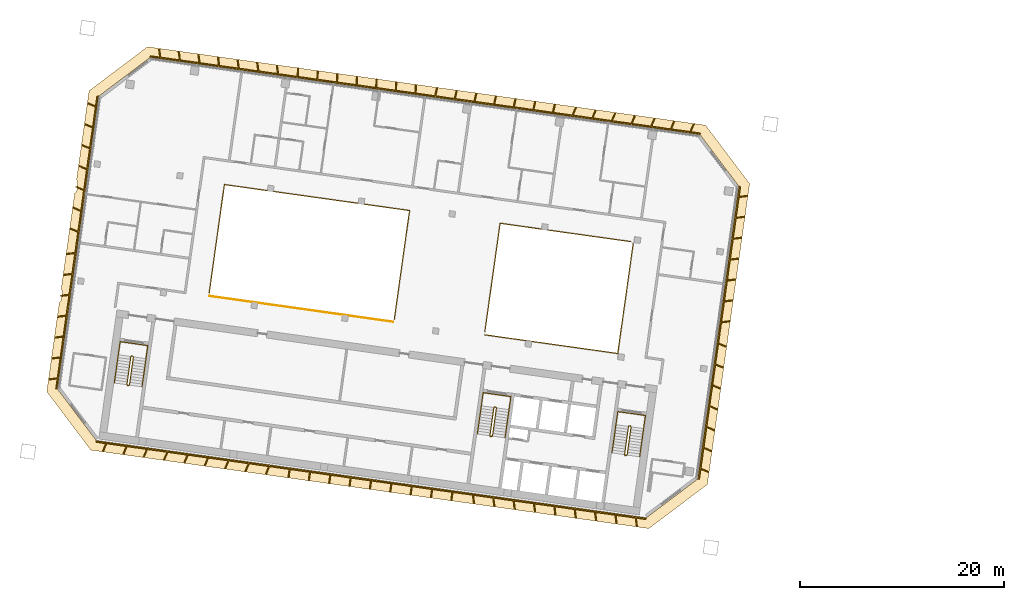
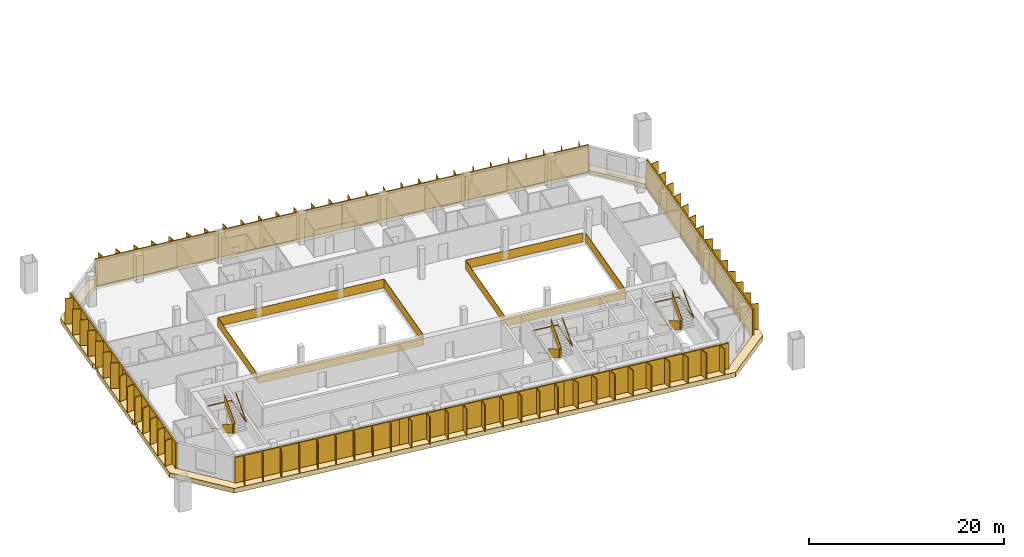
# One storey, part 24 of 25: 11 shading devices, 10 railings, 1 covering.
"""IFC4 building model written with IfcOpenShell, lengths in metres."""

from ifc_helpers import new_model, si_unit, direction, frame, origin, origin_2d, place, context, subcontext, project, spatial, polyline, rectangle, outline, extrude, material, layer, layer_set, type_object, element, save


model = new_model("IFC4")

# Units and contexts
model_context = context("Model", 3, precision=1e-05, world=origin(), true_north=direction((0.0, 1.0)))
body_context = subcontext(model_context, "Body", "Model", "MODEL_VIEW")
ifc_project = project(units=[si_unit("LENGTHUNIT", "METRE"), si_unit("AREAUNIT", "SQUARE_METRE"), si_unit("VOLUMEUNIT", "CUBIC_METRE"), si_unit("PLANEANGLEUNIT", "RADIAN"), si_unit("MASSUNIT", "GRAM", prefix="KILO")], contexts=[model_context])

# Site, building, storey
site_placement = place(None, origin())
site = spatial("IfcSite", under=ifc_project, at=site_placement, CompositionType="ELEMENT")
building_placement = place(site_placement, origin())
building = spatial("IfcBuilding", under=site, at=building_placement, Name="Mirante Cascada Hotel Towers", CompositionType="ELEMENT")
storey_placement = place(building_placement, frame((0.0, 0.0, 172.6)))
storey = spatial("IfcBuildingStorey", under=building, at=storey_placement, Name="L40", CompositionType="ELEMENT", Elevation=172.6)

# Railings
ifc_material_1 = material(Name="Toughened glass with stainless steel handrail", Category="steel")
railing_type_1 = type_object("IfcRailingType", Name="Atrium guard 1100 glass balustrade", PredefinedType="GUARDRAIL", material=ifc_material_1)
railing_1_placement = place(storey_placement, frame((-37.864, 6.7125, 0.0)))
element("IfcRailing", 1, at=railing_1_placement, inside=storey, type_object=railing_type_1, Name="GUARD 1-L40-1", PredefinedType="GUARDRAIL", context=body_context, shape_type="SweptSolid", body=[
    extrude(rectangle(XDim=0.048, YDim=0.048, at=origin_2d()), frame((0.0, 0.0, 1.076), z_axis=(-0.1391712, -0.9902683, 0.0), x_axis=(0.9902683, -0.1391712, 0.0)), (0.0, 0.0, 1.0), 10.9333),
    extrude(rectangle(XDim=0.02, YDim=1.052, at=origin_2d()), frame((0.0, 0.0, 0.526), z_axis=(-0.1391712, -0.9902683, 0.0), x_axis=(0.9902683, -0.1391712, 0.0)), (0.0, 0.0, 1.0), 10.9333),
    extrude(rectangle(XDim=0.048, YDim=0.048, at=origin_2d()), frame((-1.5216, -10.8269, 1.076), z_axis=(-0.9902673, 0.1391788, 0.0), x_axis=(-0.1391788, -0.9902673, 0.0)), (0.0, 0.0, 1.0), 13.1622),
    extrude(rectangle(XDim=0.02, YDim=1.052, at=origin_2d()), frame((-1.5216, -10.8269, 0.526), z_axis=(-0.9902673, 0.1391788, 0.0), x_axis=(-0.1391788, -0.9902673, 0.0)), (0.0, 0.0, 1.0), 13.1622),
])
railing_2_placement = place(storey_placement, frame((-61.4157, -1.0182, 0.0)))
element("IfcRailing", 2, at=railing_2_placement, inside=storey, type_object=railing_type_1, Name="GUARD 1-L40-2", PredefinedType="GUARDRAIL", context=body_context, shape_type="SweptSolid", body=[
    extrude(rectangle(XDim=0.048, YDim=0.048, at=origin_2d()), frame((0.0, 0.0, 1.076), z_axis=(-0.990268, 0.1391737, 0.0), x_axis=(-0.1391737, -0.990268, 0.0)), (0.0, 0.0, 1.0), 18.2534),
    extrude(rectangle(XDim=0.02, YDim=1.052, at=origin_2d()), frame((0.0, 0.0, 0.526), z_axis=(-0.990268, 0.1391737, 0.0), x_axis=(-0.1391737, -0.990268, 0.0)), (0.0, 0.0, 1.0), 18.2534),
    extrude(rectangle(XDim=0.048, YDim=0.048, at=origin_2d()), frame((-18.0758, 2.5404, 1.076), z_axis=(0.9902081, -0.1395992, 0.0), x_axis=(0.1395992, 0.9902081, 0.0)), (0.0, 0.0, 1.0), 0.0845),
    extrude(rectangle(XDim=0.02, YDim=1.052, at=origin_2d()), frame((-18.0758, 2.5404, 0.526), z_axis=(0.9902081, -0.1395992, 0.0), x_axis=(0.1395992, 0.9902081, 0.0)), (0.0, 0.0, 1.0), 0.0845),
])
railing_3_placement = place(storey_placement, frame((-61.326, -0.7323, 0.0)))
element("IfcRailing", 3, at=railing_3_placement, inside=storey, type_object=railing_type_1, Name="GUARD 1-L40-3", PredefinedType="GUARDRAIL", context=body_context, shape_type="SweptSolid", body=[
    extrude(rectangle(XDim=0.048, YDim=0.048, at=origin_2d()), frame((0.0, 0.0, 1.076), z_axis=(0.1391702, 0.9902685, 0.0), x_axis=(-0.9902685, 0.1391702, 0.0)), (0.0, 0.0, 1.0), 10.7545),
    extrude(rectangle(XDim=0.02, YDim=1.052, at=origin_2d()), frame((0.0, 0.0, 0.526), z_axis=(0.1391702, 0.9902685, 0.0), x_axis=(-0.9902685, 0.1391702, 0.0)), (0.0, 0.0, 1.0), 10.7545),
    extrude(rectangle(XDim=0.048, YDim=0.048, at=origin_2d()), frame((1.4967, 10.6498, 1.076), z_axis=(-0.9902686, 0.1391691, 0.0), x_axis=(-0.1391691, -0.9902686, 0.0)), (0.0, 0.0, 1.0), 18.3525),
    extrude(rectangle(XDim=0.02, YDim=1.052, at=origin_2d()), frame((1.4967, 10.6498, 0.526), z_axis=(-0.9902686, 0.1391691, 0.0), x_axis=(-0.1391691, -0.9902686, 0.0)), (0.0, 0.0, 1.0), 18.3525),
    extrude(rectangle(XDim=0.048, YDim=0.048, at=origin_2d()), frame((-16.6772, 13.2039, 1.076), z_axis=(-0.1391689, -0.9902687, 0.0), x_axis=(0.9902687, -0.1391689, 0.0)), (0.0, 0.0, 1.0), 10.7546),
    extrude(rectangle(XDim=0.02, YDim=1.052, at=origin_2d()), frame((-16.6772, 13.2039, 0.526), z_axis=(-0.1391689, -0.9902687, 0.0), x_axis=(0.9902687, -0.1391689, 0.0)), (0.0, 0.0, 1.0), 10.7546),
])
railing_4_placement = place(storey_placement, frame((-38.1213, 6.8666, 0.0)))
element("IfcRailing", 4, at=railing_4_placement, inside=storey, type_object=railing_type_1, Name="GUARD 1-L40-4", PredefinedType="GUARDRAIL", context=body_context, shape_type="SweptSolid", body=[
    extrude(rectangle(XDim=0.048, YDim=0.048, at=origin_2d()), frame((0.0, 0.0, 1.076), z_axis=(-0.9902681, 0.139173, 0.0), x_axis=(-0.139173, -0.9902681, 0.0)), (0.0, 0.0, 1.0), 12.935),
    extrude(rectangle(XDim=0.02, YDim=1.052, at=origin_2d()), frame((0.0, 0.0, 0.526), z_axis=(-0.9902681, 0.139173, 0.0), x_axis=(-0.139173, -0.9902681, 0.0)), (0.0, 0.0, 1.0), 12.935),
    extrude(rectangle(XDim=0.048, YDim=0.048, at=origin_2d()), frame((-12.8091, 1.8002, 1.076), z_axis=(-0.1391715, -0.9902683, 0.0), x_axis=(0.9902683, -0.1391715, 0.0)), (0.0, 0.0, 1.0), 10.7544),
    extrude(rectangle(XDim=0.02, YDim=1.052, at=origin_2d()), frame((-12.8091, 1.8002, 0.526), z_axis=(-0.1391715, -0.9902683, 0.0), x_axis=(0.9902683, -0.1391715, 0.0)), (0.0, 0.0, 1.0), 10.7544),
])

# Covering
ifc_material_2 = material(Name="Precast concrete C40/50 white", Category="concrete")
ifc_layer = layer(ifc_material_2, 0.6)
ifc_layer_set = layer_set([ifc_layer], Name="Precast concrete SUNSHADE band 1000x600")
covering_type = type_object("IfcCoveringType", Name="Precast concrete SUNSHADE band 1000x600", PredefinedType="CLADDING", material=ifc_layer_set)
covering_placement = place(storey_placement, frame((0.0, 0.0, -0.45)))
element("IfcCovering", 5, at=covering_placement, inside=storey, type_object=covering_type, Name="Precast concrete SUNSHADE band T1 L40", PredefinedType="CLADDING", context=body_context, shape_type="SweptSolid", body=[
    extrude(outline(polyline([(-95.4528, -7.862), (-94.2239, 0.8821), (-94.2226, 0.8829), (-94.1895, 0.9079), (-94.159, 0.936), (-94.1314, 0.9669), (-94.1069, 1.0004), (-94.0859, 1.0362), (-94.0685, 1.0738), (-94.0548, 1.1129), (-94.0451, 1.1532), (-93.9197, 1.8112), (-93.9139, 1.8523), (-93.9122, 1.8937), (-93.9146, 1.9351), (-93.921, 1.9761), (-93.9314, 2.0162), (-93.9457, 2.0551), (-93.9637, 2.0925), (-93.9853, 2.1279), (-94.0102, 2.161), (-94.0383, 2.1915), (-94.0397, 2.1927), (-92.7146, 11.6214), (-92.7129, 11.6222), (-92.6775, 11.6438), (-92.6444, 11.6688), (-92.6139, 11.6968), (-92.5863, 11.7278), (-92.5618, 11.7612), (-92.5407, 11.7969), (-92.5233, 11.8346), (-92.5096, 11.8737), (-92.4998, 11.914), (-92.494, 11.955), (-92.4332, 12.6221), (-92.4315, 12.6636), (-92.4338, 12.705), (-92.4402, 12.7459), (-92.4506, 12.7861), (-92.4648, 12.825), (-92.4828, 12.8624), (-92.5044, 12.8978), (-92.5293, 12.9309), (-92.5304, 12.932), (-91.3015, 21.6761), (-85.5574, 26.0046), (-30.7607, 18.3035), (-26.4322, 12.5594), (-30.5836, -16.9788), (-36.3277, -21.3073), (-91.1243, -13.6061), (-95.4528, -7.862)]), holes=[polyline([(-27.4802, 12.2884), (-31.3101, 17.3708), (-85.2864, 24.9567), (-90.3689, 21.1268), (-94.4049, -7.591), (-90.575, -12.6735), (-36.5987, -20.2593), (-31.5162, -16.4294), (-27.4802, 12.2884)])]), origin(), (0.0, 0.0, 1.0), 0.6),
])

# Railings
ifc_material_3 = material(Name="Painted steel", Category="steel")
railing_type_2 = type_object("IfcRailingType", Name="Stair guard 1100 steel balustrade", PredefinedType="GUARDRAIL", material=ifc_material_3)
railing_5_placement = place(storey_placement, frame((-38.1178, -11.2603, 0.0)))
element("IfcRailing", 6, at=railing_5_placement, inside=storey, type_object=railing_type_2, Name="L40 ST1-A stair guard 1", PredefinedType="GUARDRAIL", context=body_context, shape_type="SweptSolid", body=[
    extrude(rectangle(XDim=0.048, YDim=0.048, at=origin_2d()), frame((0.0, 0.0, 1.076), z_axis=(-0.9903326, 0.1387133, 0.0), x_axis=(-0.1387133, -0.9903326, 0.0)), (0.0, 0.0, 1.0), 0.1499),
    extrude(rectangle(XDim=0.02, YDim=1.052, at=origin_2d()), frame((0.0, 0.0, 0.526), z_axis=(-0.9903326, 0.1387133, 0.0), x_axis=(-0.1387133, -0.9903326, 0.0)), (0.0, 0.0, 1.0), 0.1499),
    extrude(rectangle(XDim=0.048, YDim=0.048, at=origin_2d()), frame((-0.1485, 0.0208, 1.076), z_axis=(-0.7991505, -0.6011309, 0.0), x_axis=(0.6011309, -0.7991505, 0.0)), (0.0, 0.9254529, 0.3788627), 0.1866),
    extrude(rectangle(XDim=0.02, YDim=1.052, at=origin_2d()), frame((-0.1485, 0.0208, 0.526), z_axis=(-0.7991505, -0.6011309, 0.0), x_axis=(0.6011309, -0.7991505, 0.0)), (0.0, 0.9254529, 0.3788627), 0.1866),
    extrude(rectangle(XDim=0.048, YDim=0.048, at=origin_2d()), frame((-0.205, -0.0217, 1.2487), z_axis=(-0.139176, -0.9902677, 0.0), x_axis=(0.9902677, -0.139176, 0.0)), (0.0, 0.5250212, 0.8510891), 3.29),
    extrude(rectangle(XDim=0.02, YDim=1.052, at=origin_2d()), frame((-0.205, -0.0217, 0.6987), z_axis=(-0.139176, -0.9902677, 0.0), x_axis=(0.9902677, -0.139176, 0.0)), (0.0, 0.5250212, 0.8510891), 3.29),
    extrude(rectangle(XDim=0.048, YDim=0.048, at=origin_2d()), frame((-0.5947, -2.7945, 2.976), z_axis=(0.9270311, -0.3749843, 0.0), x_axis=(0.3749843, 0.9270311, 0.0)), (0.0, 0.0, 1.0), 0.2061),
    extrude(rectangle(XDim=0.02, YDim=1.052, at=origin_2d()), frame((-0.5947, -2.7945, 2.426), z_axis=(0.9270311, -0.3749843, 0.0), x_axis=(0.3749843, 0.9270311, 0.0)), (0.0, 0.0, 1.0), 0.2061),
    extrude(rectangle(XDim=0.048, YDim=0.048, at=origin_2d()), frame((-0.4036, -2.8718, 2.976), z_axis=(-0.9902408, 0.1393672, 0.0), x_axis=(-0.1393672, -0.9902408, 0.0)), (0.0, 0.0, 1.0), 0.15),
    extrude(rectangle(XDim=0.02, YDim=1.052, at=origin_2d()), frame((-0.4036, -2.8718, 2.426), z_axis=(-0.9902408, 0.1393672, 0.0), x_axis=(-0.1393672, -0.9902408, 0.0)), (0.0, 0.0, 1.0), 0.15),
    extrude(rectangle(XDim=0.048, YDim=0.048, at=origin_2d()), frame((-0.5521, -2.8509, 2.976), z_axis=(0.9944948, 0.1047858, 0.0), x_axis=(-0.1047858, 0.9944948, 0.0)), (0.0, 0.6422034, 0.7665343), 0.2689),
    extrude(rectangle(XDim=0.02, YDim=1.052, at=origin_2d()), frame((-0.5521, -2.8509, 2.426), z_axis=(0.9944948, 0.1047858, 0.0), x_axis=(-0.1047858, 0.9944948, 0.0)), (0.0, 0.6422034, 0.7665343), 0.2689),
    extrude(rectangle(XDim=0.048, YDim=0.048, at=origin_2d()), frame((-0.3471, -2.8293, 3.1487), z_axis=(0.139176, 0.9902677, 0.0), x_axis=(-0.9902677, 0.139176, 0.0)), (0.0, 0.5250212, 0.8510891), 3.29),
    extrude(rectangle(XDim=0.02, YDim=1.052, at=origin_2d()), frame((-0.3471, -2.8293, 2.5987), z_axis=(0.139176, 0.9902677, 0.0), x_axis=(-0.9902677, 0.139176, 0.0)), (0.0, 0.5250212, 0.8510891), 3.29),
])
railing_6_placement = place(storey_placement, frame((-51.3379, -9.4024, 0.0)))
element("IfcRailing", 7, at=railing_6_placement, inside=storey, type_object=railing_type_2, Name="L40 ST1-B stair guard 1", PredefinedType="GUARDRAIL", context=body_context, shape_type="SweptSolid", body=[
    extrude(rectangle(XDim=0.048, YDim=0.048, at=origin_2d()), frame((0.0, 0.0, 1.076), z_axis=(-0.9902408, 0.1393672, 0.0), x_axis=(-0.1393672, -0.9902408, 0.0)), (0.0, 0.0, 1.0), 0.15),
    extrude(rectangle(XDim=0.02, YDim=1.052, at=origin_2d()), frame((0.0, 0.0, 0.526), z_axis=(-0.9902408, 0.1393672, 0.0), x_axis=(-0.1393672, -0.9902408, 0.0)), (0.0, 0.0, 1.0), 0.15),
    extrude(rectangle(XDim=0.048, YDim=0.048, at=origin_2d()), frame((-0.1485, 0.0209, 1.076), z_axis=(-0.7984711, -0.6020331, 0.0), x_axis=(0.6020331, -0.7984711, 0.0)), (0.0, 0.9253398, 0.3791387), 0.1866),
    extrude(rectangle(XDim=0.02, YDim=1.052, at=origin_2d()), frame((-0.1485, 0.0209, 0.526), z_axis=(-0.7984711, -0.6020331, 0.0), x_axis=(0.6020331, -0.7984711, 0.0)), (0.0, 0.9253398, 0.3791387), 0.1866),
    extrude(rectangle(XDim=0.048, YDim=0.048, at=origin_2d()), frame((-0.205, -0.0217, 1.2487), z_axis=(-0.139181, -0.990267, 0.0), x_axis=(0.990267, -0.139181, 0.0)), (0.0, 0.5250347, 0.8510808), 3.2899),
    extrude(rectangle(XDim=0.02, YDim=1.052, at=origin_2d()), frame((-0.205, -0.0217, 0.6987), z_axis=(-0.139181, -0.990267, 0.0), x_axis=(0.990267, -0.139181, 0.0)), (0.0, 0.5250347, 0.8510808), 3.2899),
    extrude(rectangle(XDim=0.048, YDim=0.048, at=origin_2d()), frame((-0.5947, -2.7944, 2.976), z_axis=(0.9268624, -0.3754011, 0.0), x_axis=(0.3754011, 0.9268624, 0.0)), (0.0, 0.0, 1.0), 0.2062),
    extrude(rectangle(XDim=0.02, YDim=1.052, at=origin_2d()), frame((-0.5947, -2.7944, 2.426), z_axis=(0.9268624, -0.3754011, 0.0), x_axis=(0.3754011, 0.9268624, 0.0)), (0.0, 0.0, 1.0), 0.2062),
    extrude(rectangle(XDim=0.048, YDim=0.048, at=origin_2d()), frame((-0.4036, -2.8718, 2.976), z_axis=(-0.9902408, 0.1393672, 0.0), x_axis=(-0.1393672, -0.9902408, 0.0)), (0.0, 0.0, 1.0), 0.15),
    extrude(rectangle(XDim=0.02, YDim=1.052, at=origin_2d()), frame((-0.4036, -2.8718, 2.426), z_axis=(-0.9902408, 0.1393672, 0.0), x_axis=(-0.1393672, -0.9902408, 0.0)), (0.0, 0.0, 1.0), 0.15),
    extrude(rectangle(XDim=0.048, YDim=0.048, at=origin_2d()), frame((-0.5521, -2.8509, 2.976), z_axis=(0.9944441, 0.1052656, 0.0), x_axis=(-0.1052656, 0.9944441, 0.0)), (0.0, 0.6421842, 0.7665504), 0.2689),
    extrude(rectangle(XDim=0.02, YDim=1.052, at=origin_2d()), frame((-0.5521, -2.8509, 2.426), z_axis=(0.9944441, 0.1052656, 0.0), x_axis=(-0.1052656, 0.9944441, 0.0)), (0.0, 0.6421842, 0.7665504), 0.2689),
    extrude(rectangle(XDim=0.048, YDim=0.048, at=origin_2d()), frame((-0.3471, -2.8292, 3.1487), z_axis=(0.139181, 0.990267, 0.0), x_axis=(-0.990267, 0.139181, 0.0)), (0.0, 0.5250347, 0.8510808), 3.2899),
    extrude(rectangle(XDim=0.02, YDim=1.052, at=origin_2d()), frame((-0.3471, -2.8292, 2.5987), z_axis=(0.139181, 0.990267, 0.0), x_axis=(-0.990267, 0.139181, 0.0)), (0.0, 0.5250347, 0.8510808), 3.2899),
])
railing_7_placement = place(storey_placement, frame((-86.9875, -4.3922, 0.0)))
element("IfcRailing", 8, at=railing_7_placement, inside=storey, type_object=railing_type_2, Name="L40 ST1-C stair guard 1", PredefinedType="GUARDRAIL", context=body_context, shape_type="SweptSolid", body=[
    extrude(rectangle(XDim=0.048, YDim=0.048, at=origin_2d()), frame((0.0, 0.0, 1.076), z_axis=(-0.9902537, 0.1392753, 0.0), x_axis=(-0.1392753, -0.9902537, 0.0)), (0.0, 0.0, 1.0), 0.1501),
    extrude(rectangle(XDim=0.02, YDim=1.052, at=origin_2d()), frame((0.0, 0.0, 0.526), z_axis=(-0.9902537, 0.1392753, 0.0), x_axis=(-0.1392753, -0.9902537, 0.0)), (0.0, 0.0, 1.0), 0.1501),
    extrude(rectangle(XDim=0.048, YDim=0.048, at=origin_2d()), frame((-0.1486, 0.0209, 1.076), z_axis=(-0.7986386, -0.601811, 0.0), x_axis=(0.601811, -0.7986386, 0.0)), (0.0, 0.925603, 0.3784959), 0.1866),
    extrude(rectangle(XDim=0.02, YDim=1.052, at=origin_2d()), frame((-0.1486, 0.0209, 0.526), z_axis=(-0.7986386, -0.601811, 0.0), x_axis=(0.601811, -0.7986386, 0.0)), (0.0, 0.925603, 0.3784959), 0.1866),
    extrude(rectangle(XDim=0.048, YDim=0.048, at=origin_2d()), frame((-0.205, -0.0216, 1.2487), z_axis=(-0.139176, -0.9902677, 0.0), x_axis=(0.9902677, -0.139176, 0.0)), (0.0, 0.5250212, 0.8510891), 3.29),
    extrude(rectangle(XDim=0.02, YDim=1.052, at=origin_2d()), frame((-0.205, -0.0216, 0.6987), z_axis=(-0.139176, -0.9902677, 0.0), x_axis=(0.9902677, -0.139176, 0.0)), (0.0, 0.5250212, 0.8510891), 3.29),
    extrude(rectangle(XDim=0.048, YDim=0.048, at=origin_2d()), frame((-0.5947, -2.7944, 2.976), z_axis=(0.9270311, -0.3749843, 0.0), x_axis=(0.3749843, 0.9270311, 0.0)), (0.0, 0.0, 1.0), 0.2061),
    extrude(rectangle(XDim=0.02, YDim=1.052, at=origin_2d()), frame((-0.5947, -2.7944, 2.426), z_axis=(0.9270311, -0.3749843, 0.0), x_axis=(0.3749843, 0.9270311, 0.0)), (0.0, 0.0, 1.0), 0.2061),
    extrude(rectangle(XDim=0.048, YDim=0.048, at=origin_2d()), frame((-0.4036, -2.8717, 2.976), z_axis=(-0.9903454, 0.1386217, 0.0), x_axis=(-0.1386217, -0.9903454, 0.0)), (0.0, 0.0, 1.0), 0.15),
    extrude(rectangle(XDim=0.02, YDim=1.052, at=origin_2d()), frame((-0.4036, -2.8717, 2.426), z_axis=(-0.9903454, 0.1386217, 0.0), x_axis=(-0.1386217, -0.9903454, 0.0)), (0.0, 0.0, 1.0), 0.15),
    extrude(rectangle(XDim=0.048, YDim=0.048, at=origin_2d()), frame((-0.5522, -2.8509, 2.976), z_axis=(0.9944441, 0.1052656, 0.0), x_axis=(-0.1052656, 0.9944441, 0.0)), (0.0, 0.6421842, 0.7665504), 0.2689),
    extrude(rectangle(XDim=0.02, YDim=1.052, at=origin_2d()), frame((-0.5522, -2.8509, 2.426), z_axis=(0.9944441, 0.1052656, 0.0), x_axis=(-0.1052656, 0.9944441, 0.0)), (0.0, 0.6421842, 0.7665504), 0.2689),
    extrude(rectangle(XDim=0.048, YDim=0.048, at=origin_2d()), frame((-0.3472, -2.8292, 3.1487), z_axis=(0.139176, 0.9902677, 0.0), x_axis=(-0.9902677, 0.139176, 0.0)), (0.0, 0.5250212, 0.8510891), 3.29),
    extrude(rectangle(XDim=0.02, YDim=1.052, at=origin_2d()), frame((-0.3472, -2.8292, 2.5987), z_axis=(0.139176, 0.9902677, 0.0), x_axis=(-0.9902677, 0.139176, 0.0)), (0.0, 0.5250212, 0.8510891), 3.29),
])
ifc_material_4 = material(Name="Painted steel", Category="steel")
railing_type_3 = type_object("IfcRailingType", Name="Stair handrail 900 steel tube", PredefinedType="HANDRAIL", material=ifc_material_4)
railing_8_placement = place(storey_placement, frame((-39.5606, -11.1081, 0.1727)))
element("IfcRailing", 9, at=railing_8_placement, inside=storey, type_object=railing_type_3, Name="L40 ST1-A stair handrail 1", PredefinedType="HANDRAIL", context=body_context, shape_type="SweptSolid", body=[
    extrude(rectangle(XDim=0.048, YDim=0.048, at=origin_2d()), frame((0.0, 0.0, 0.876), z_axis=(-0.139181, -0.990267, 0.0), x_axis=(0.990267, -0.139181, 0.0)), (0.0, 0.5250347, 0.8510808), 3.2899),
    extrude(rectangle(XDim=0.048, YDim=0.048, at=origin_2d()), frame((-0.3897, -2.7727, 2.6033), z_axis=(0.1391707, 0.9902684, 0.0), x_axis=(-0.9902684, 0.1391707, 0.0)), (0.0, 0.0420846, 0.999114), 4.1036),
    extrude(rectangle(XDim=0.048, YDim=0.048, at=origin_2d()), frame((0.1809, 1.2874, 2.776), z_axis=(0.9902691, -0.1391657, 0.0), x_axis=(0.1391657, 0.9902691, 0.0)), (0.0, 0.0, 1.0), 2.75),
    extrude(rectangle(XDim=0.048, YDim=0.048, at=origin_2d()), frame((2.9041, 0.9047, 2.776), z_axis=(-0.1391707, -0.9902684, 0.0), x_axis=(0.9902684, -0.1391707, 0.0)), (0.0, 0.0, 1.0), 4.1),
    extrude(rectangle(XDim=0.048, YDim=0.048, at=origin_2d()), frame((2.3335, -3.1554, 2.776), z_axis=(0.139181, 0.990267, 0.0), x_axis=(-0.990267, 0.139181, 0.0)), (0.0, 0.5250347, 0.8510808), 3.2899),
])
railing_9_placement = place(storey_placement, frame((-52.7807, -9.2501, 0.1727)))
element("IfcRailing", 10, at=railing_9_placement, inside=storey, type_object=railing_type_3, Name="L40 ST1-B stair handrail 1", PredefinedType="HANDRAIL", context=body_context, shape_type="SweptSolid", body=[
    extrude(rectangle(XDim=0.048, YDim=0.048, at=origin_2d()), frame((0.0, 0.0, 0.876), z_axis=(-0.139181, -0.990267, 0.0), x_axis=(0.990267, -0.139181, 0.0)), (0.0, 0.5250347, 0.8510808), 3.2899),
    extrude(rectangle(XDim=0.048, YDim=0.048, at=origin_2d()), frame((-0.3897, -2.7727, 2.6033), z_axis=(0.1391707, 0.9902684, 0.0), x_axis=(-0.9902684, 0.1391707, 0.0)), (0.0, 0.0420846, 0.999114), 4.1036),
    extrude(rectangle(XDim=0.048, YDim=0.048, at=origin_2d()), frame((0.1809, 1.2874, 2.776), z_axis=(0.9902641, -0.1392013, 0.0), x_axis=(0.1392013, 0.9902641, 0.0)), (0.0, 0.0, 1.0), 2.75),
    extrude(rectangle(XDim=0.048, YDim=0.048, at=origin_2d()), frame((2.9041, 0.9046, 2.776), z_axis=(-0.1391707, -0.9902684, 0.0), x_axis=(0.9902684, -0.1391707, 0.0)), (0.0, 0.0, 1.0), 4.1),
    extrude(rectangle(XDim=0.048, YDim=0.048, at=origin_2d()), frame((2.3335, -3.1555, 2.776), z_axis=(0.139176, 0.9902677, 0.0), x_axis=(-0.9902677, 0.139176, 0.0)), (0.0, 0.5250212, 0.8510891), 3.29),
])
railing_10_placement = place(storey_placement, frame((-88.4304, -4.2399, 0.1727)))
element("IfcRailing", 11, at=railing_10_placement, inside=storey, type_object=railing_type_3, Name="L40 ST1-C stair handrail 1", PredefinedType="HANDRAIL", context=body_context, shape_type="SweptSolid", body=[
    extrude(rectangle(XDim=0.048, YDim=0.048, at=origin_2d()), frame((0.0, 0.0, 0.876), z_axis=(-0.139181, -0.990267, 0.0), x_axis=(0.990267, -0.139181, 0.0)), (0.0, 0.5250347, 0.8510808), 3.2899),
    extrude(rectangle(XDim=0.048, YDim=0.048, at=origin_2d()), frame((-0.3897, -2.7727, 2.6033), z_axis=(0.1391947, 0.990265, 0.0), x_axis=(-0.990265, 0.1391947, 0.0)), (0.0, 0.0420845, 0.9991141), 4.1036),
    extrude(rectangle(XDim=0.048, YDim=0.048, at=origin_2d()), frame((0.181, 1.2874, 2.776), z_axis=(0.9902691, -0.1391657, 0.0), x_axis=(0.1391657, 0.9902691, 0.0)), (0.0, 0.0, 1.0), 2.75),
    extrude(rectangle(XDim=0.048, YDim=0.048, at=origin_2d()), frame((2.9042, 0.9047, 2.776), z_axis=(-0.1391707, -0.9902684, 0.0), x_axis=(0.9902684, -0.1391707, 0.0)), (0.0, 0.0, 1.0), 4.1),
    extrude(rectangle(XDim=0.048, YDim=0.048, at=origin_2d()), frame((2.3336, -3.1554, 2.776), z_axis=(0.139181, 0.990267, 0.0), x_axis=(-0.990267, 0.139181, 0.0)), (0.0, 0.5250347, 0.8510808), 3.2899),
])

# Shading devices
ifc_material_5 = material(Name="White precast concrete C50/60 fin", Category="concrete")
shading_device_type = type_object("IfcShadingDeviceType", Name="Vertical fin set 4500x900", PredefinedType="USERDEFINED", material=ifc_material_5)
shading_device_1_placement = place(storey_placement, origin())
element("IfcShadingDevice", 12, at=shading_device_1_placement, inside=storey, type_object=shading_device_type, Name="FIN T1 L40 front 1", ObjectType="FIN", PredefinedType="USERDEFINED", context=body_context, shape_type="SweptSolid", body=[
    extrude(outline(polyline([(-72.7076, 23.3404), (-71.7714, 23.2088), (-71.7923, 23.0603), (-85.2864, 24.9567), (-85.2655, 25.1053), (-84.3559, 24.9774), (-84.458, 25.8087), (-84.3786, 25.8185), (-84.2739, 24.9659), (-82.4282, 24.7065), (-82.5303, 25.5378), (-82.4509, 25.5475), (-82.3462, 24.695), (-80.5005, 24.4356), (-80.6025, 25.2669), (-80.5231, 25.2766), (-80.4185, 24.4241), (-78.5728, 24.1647), (-78.6748, 24.9959), (-78.5954, 25.0057), (-78.4907, 24.1531), (-76.645, 23.8937), (-76.7471, 24.725), (-76.6677, 24.7348), (-76.563, 23.8822), (-74.7173, 23.6228), (-74.8194, 24.4541), (-74.74, 24.4638), (-74.6353, 23.6113), (-72.7896, 23.3519), (-72.8916, 24.1832), (-72.8122, 24.1929), (-72.7076, 23.3404)])), origin(), (0.0, 0.0, 1.0), 3.35),
])
shading_device_2_placement = place(storey_placement, origin())
element("IfcShadingDevice", 13, at=shading_device_2_placement, inside=storey, type_object=shading_device_type, Name="FIN T1 L40 front 2", ObjectType="FIN", PredefinedType="USERDEFINED", context=body_context, shape_type="SweptSolid", body=[
    extrude(outline(polyline([(-59.2058, 21.4428), (-58.2774, 21.3123), (-58.2982, 21.1638), (-71.7923, 23.0603), (-71.7714, 23.2088), (-70.8517, 23.0795), (-70.8074, 23.9247), (-70.7275, 23.9205), (-70.7721, 23.0683), (-68.9239, 22.8086), (-68.8797, 23.6538), (-68.7998, 23.6496), (-68.8444, 22.7974), (-66.9962, 22.5377), (-66.9519, 23.3828), (-66.872, 23.3786), (-66.9167, 22.5265), (-65.0685, 22.2668), (-65.0242, 23.1119), (-64.9443, 23.1077), (-64.989, 22.2556), (-63.1408, 21.9958), (-63.0965, 22.841), (-63.0166, 22.8368), (-63.0612, 21.9847), (-61.213, 21.7249), (-61.1688, 22.5701), (-61.0889, 22.5659), (-61.1335, 21.7137), (-59.2853, 21.454), (-59.241, 22.2991), (-59.1611, 22.2949), (-59.2058, 21.4428)])), origin(), (0.0, 0.0, 1.0), 3.35),
])
shading_device_3_placement = place(storey_placement, origin())
element("IfcShadingDevice", 14, at=shading_device_3_placement, inside=storey, type_object=shading_device_type, Name="FIN T1 L40 front 3", ObjectType="FIN", PredefinedType="USERDEFINED", context=body_context, shape_type="SweptSolid", body=[
    extrude(outline(polyline([(-45.7031, 19.5451), (-44.7833, 19.4159), (-44.8042, 19.2673), (-58.2982, 21.1638), (-58.2774, 21.3123), (-57.3489, 21.1818), (-57.157, 22.0133), (-57.079, 21.9953), (-57.2694, 21.1707), (-55.4212, 20.9109), (-55.2293, 21.7424), (-55.1513, 21.7244), (-55.3417, 20.8997), (-53.4935, 20.64), (-53.3015, 21.4714), (-53.2236, 21.4534), (-53.414, 20.6288), (-51.5658, 20.3691), (-51.3738, 21.2005), (-51.2959, 21.1825), (-51.4862, 20.3579), (-49.638, 20.0981), (-49.4461, 20.9296), (-49.3681, 20.9116), (-49.5585, 20.087), (-47.7103, 19.8272), (-47.5184, 20.6587), (-47.4404, 20.6407), (-47.6308, 19.816), (-45.7826, 19.5563), (-45.5906, 20.3877), (-45.5127, 20.3697), (-45.7031, 19.5451)])), origin(), (0.0, 0.0, 1.0), 3.35),
])
shading_device_4_placement = place(storey_placement, origin())
element("IfcShadingDevice", 15, at=shading_device_4_placement, inside=storey, type_object=shading_device_type, Name="FIN T1 L40 front 4", ObjectType="FIN", PredefinedType="USERDEFINED", context=body_context, shape_type="SweptSolid", body=[
    extrude(outline(polyline([(-32.1988, 17.6472), (-31.2892, 17.5194), (-31.3101, 17.3708), (-44.8042, 19.2673), (-44.7833, 19.4159), (-43.8472, 19.2843), (-43.5115, 20.075), (-43.4379, 20.0437), (-43.7651, 19.2728), (-41.9194, 19.0134), (-41.5838, 19.804), (-41.5102, 19.7728), (-41.8374, 19.0018), (-39.9917, 18.7424), (-39.6561, 19.5331), (-39.5825, 19.5019), (-39.9097, 18.7309), (-38.064, 18.4715), (-37.7284, 19.2622), (-37.6547, 19.2309), (-37.982, 18.46), (-36.1363, 18.2006), (-35.8006, 18.9913), (-35.727, 18.96), (-36.0542, 18.1891), (-34.2085, 17.9297), (-33.8729, 18.7203), (-33.7993, 18.6891), (-34.1265, 17.9181), (-32.2808, 17.6587), (-31.9452, 18.4494), (-31.8716, 18.4182), (-32.1988, 17.6472)])), origin(), (0.0, 0.0, 1.0), 3.35),
])
shading_device_5_placement = place(storey_placement, origin())
element("IfcShadingDevice", 16, at=shading_device_5_placement, inside=storey, type_object=shading_device_type, Name="FIN T1 L40 inner 1", ObjectType="FIN", PredefinedType="USERDEFINED", context=body_context, shape_type="SweptSolid", body=[
    extrude(outline(polyline([(-29.2094, -1.0935), (-29.3496, -2.0914), (-29.4982, -2.0705), (-27.4802, 12.2884), (-27.3316, 12.2675), (-27.4681, 11.2961), (-26.6369, 11.3982), (-26.6271, 11.3188), (-27.4797, 11.2141), (-27.7564, 9.2449), (-26.9251, 9.3469), (-26.9154, 9.2675), (-27.7679, 9.1628), (-28.0447, 7.1936), (-27.2134, 7.2957), (-27.2037, 7.2162), (-28.0562, 7.1116), (-28.333, 5.1423), (-27.5017, 5.2444), (-27.492, 5.165), (-28.3445, 5.0603), (-28.6213, 3.091), (-27.79, 3.1931), (-27.7803, 3.1137), (-28.6328, 3.009), (-28.9096, 1.0398), (-28.0783, 1.1418), (-28.0685, 1.0624), (-28.9211, 0.9578), (-29.1979, -1.0115), (-28.3666, -0.9094), (-28.3568, -0.9888), (-29.2094, -1.0935)])), origin(), (0.0, 0.0, 1.0), 3.35),
])
shading_device_6_placement = place(storey_placement, origin())
element("IfcShadingDevice", 17, at=shading_device_6_placement, inside=storey, type_object=shading_device_type, Name="FIN T1 L40 inner 2", ObjectType="FIN", PredefinedType="USERDEFINED", context=body_context, shape_type="SweptSolid", body=[
    extrude(outline(polyline([(-31.2311, -15.4789), (-31.3676, -16.4503), (-31.5162, -16.4294), (-29.4982, -2.0705), (-29.3496, -2.0914), (-29.4899, -3.0893), (-28.6992, -3.4249), (-28.7305, -3.4986), (-29.5014, -3.1713), (-29.7782, -5.1406), (-28.9875, -5.4762), (-29.0187, -5.5498), (-29.7897, -5.2226), (-30.0664, -7.1918), (-29.2758, -7.5275), (-29.307, -7.6011), (-30.078, -7.2739), (-30.3547, -9.2431), (-29.5641, -9.5787), (-29.5953, -9.6524), (-30.3663, -9.3251), (-30.643, -11.2944), (-29.8524, -11.63), (-29.8836, -11.7036), (-30.6545, -11.3764), (-30.9313, -13.3456), (-30.1406, -13.6813), (-30.1719, -13.7549), (-30.9428, -13.4277), (-31.2196, -15.3969), (-30.4289, -15.7325), (-30.4602, -15.8062), (-31.2311, -15.4789)])), origin(), (0.0, 0.0, 1.0), 3.35),
])
shading_device_7_placement = place(storey_placement, origin())
element("IfcShadingDevice", 18, at=shading_device_7_placement, inside=storey, type_object=shading_device_type, Name="FIN T1 L40 outer 1", ObjectType="FIN", PredefinedType="USERDEFINED", context=body_context, shape_type="SweptSolid", body=[
    extrude(outline(polyline([(-94.4054, -6.5167), (-94.1286, -4.5475), (-94.9599, -4.6495), (-94.9697, -4.5701), (-94.1171, -4.4655), (-93.8403, -2.4962), (-94.6716, -2.5983), (-94.6814, -2.5189), (-93.8288, -2.4142), (-93.5521, -0.4449), (-94.3833, -0.547), (-94.3931, -0.4676), (-93.5405, -0.3629), (-93.2638, 1.6063), (-94.095, 1.5043), (-94.1048, 1.5837), (-93.2522, 1.6883), (-92.9755, 3.6576), (-93.8068, 3.5555), (-93.8165, 3.6349), (-92.964, 3.7396), (-92.6872, 5.7089), (-93.5185, 5.6068), (-93.5282, 5.6862), (-92.6757, 5.7909), (-92.5354, 6.7888), (-92.3869, 6.7679), (-94.4049, -7.591), (-94.5534, -7.5701), (-94.4169, -6.5987), (-95.2482, -6.7008), (-95.2579, -6.6214), (-94.4054, -6.5167)])), origin(), (0.0, 0.0, 1.0), 3.35),
])
shading_device_8_placement = place(storey_placement, origin())
element("IfcShadingDevice", 19, at=shading_device_8_placement, inside=storey, type_object=shading_device_type, Name="FIN T1 L40 outer 2", ObjectType="FIN", PredefinedType="USERDEFINED", context=body_context, shape_type="SweptSolid", body=[
    extrude(outline(polyline([(-92.3837, 7.8687), (-92.1069, 9.8379), (-92.8976, 10.1736), (-92.8663, 10.2472), (-92.0954, 9.92), (-91.8186, 11.8892), (-92.6093, 12.2248), (-92.578, 12.2985), (-91.8071, 11.9712), (-91.5303, 13.9405), (-92.321, 14.2761), (-92.2897, 14.3497), (-91.5188, 14.0225), (-91.242, 15.9918), (-92.0327, 16.3274), (-92.0014, 16.401), (-91.2305, 16.0738), (-90.9537, 18.043), (-91.7444, 18.3786), (-91.7132, 18.4523), (-90.9422, 18.125), (-90.6655, 20.0943), (-91.4561, 20.4299), (-91.4249, 20.5036), (-90.6539, 20.1763), (-90.5174, 21.1477), (-90.3689, 21.1268), (-92.3869, 6.7679), (-92.5354, 6.7888), (-92.3952, 7.7867), (-93.1859, 8.1223), (-93.1546, 8.1959), (-92.3837, 7.8687)])), origin(), (0.0, 0.0, 1.0), 3.35),
])
shading_device_9_placement = place(storey_placement, origin())
element("IfcShadingDevice", 20, at=shading_device_9_placement, inside=storey, type_object=shading_device_type, Name="FIN T1 L40 rear 1", ObjectType="FIN", PredefinedType="USERDEFINED", context=body_context, shape_type="SweptSolid", body=[
    extrude(outline(polyline([(-37.6468, -20.2635), (-39.5639, -19.9941), (-39.4619, -20.8253), (-39.5413, -20.8351), (-39.646, -19.9825), (-41.5631, -19.7131), (-41.461, -20.5444), (-41.5404, -20.5541), (-41.6451, -19.7016), (-43.5622, -19.4322), (-43.4601, -20.2634), (-43.5395, -20.2732), (-43.6442, -19.4206), (-45.5613, -19.1512), (-45.4592, -19.9825), (-45.5387, -19.9922), (-45.6433, -19.1397), (-47.5604, -18.8702), (-47.4584, -19.7015), (-47.5378, -19.7113), (-47.6425, -18.8587), (-49.5596, -18.5893), (-49.4575, -19.4206), (-49.5369, -19.4303), (-49.6416, -18.5778), (-51.5587, -18.3083), (-51.4566, -19.1396), (-51.536, -19.1493), (-51.6407, -18.2968), (-53.5578, -18.0274), (-53.4557, -18.8586), (-53.5351, -18.8684), (-53.6398, -18.0158), (-54.6116, -17.8793), (-54.5908, -17.7307), (-36.5987, -20.2593), (-36.6195, -20.4079), (-37.5648, -20.275), (-37.4628, -21.1063), (-37.5422, -21.1161), (-37.6468, -20.2635)])), origin(), (0.0, 0.0, 1.0), 3.35),
])
shading_device_10_placement = place(storey_placement, origin())
element("IfcShadingDevice", 21, at=shading_device_10_placement, inside=storey, type_object=shading_device_type, Name="FIN T1 L40 rear 2", ObjectType="FIN", PredefinedType="USERDEFINED", context=body_context, shape_type="SweptSolid", body=[
    extrude(outline(polyline([(-55.6508, -17.7332), (-57.5707, -17.4634), (-57.689, -18.3051), (-57.7682, -18.294), (-57.6499, -17.4523), (-59.5698, -17.1824), (-59.6881, -18.0242), (-59.7674, -18.013), (-59.6491, -17.1713), (-61.569, -16.9015), (-61.6873, -17.7432), (-61.7665, -17.7321), (-61.6482, -16.8903), (-63.5681, -16.6205), (-63.6864, -17.4622), (-63.7656, -17.4511), (-63.6473, -16.6094), (-65.5672, -16.3396), (-65.6855, -17.1813), (-65.7647, -17.1701), (-65.6464, -16.3284), (-67.5663, -16.0586), (-67.6846, -16.9003), (-67.7638, -16.8892), (-67.6455, -16.0475), (-69.5655, -15.7776), (-69.6837, -16.6194), (-69.763, -16.6082), (-69.6447, -15.7665), (-71.5646, -15.4967), (-71.6829, -16.3384), (-71.7621, -16.3273), (-71.6438, -15.4855), (-72.6037, -15.3506), (-72.5829, -15.2021), (-54.5908, -17.7307), (-54.6116, -17.8793), (-55.5716, -17.7443), (-55.6899, -18.5861), (-55.7691, -18.5749), (-55.6508, -17.7332)])), origin(), (0.0, 0.0, 1.0), 3.35),
])
shading_device_11_placement = place(storey_placement, origin())
element("IfcShadingDevice", 22, at=shading_device_11_placement, inside=storey, type_object=shading_device_type, Name="FIN T1 L40 rear 3", ObjectType="FIN", PredefinedType="USERDEFINED", context=body_context, shape_type="SweptSolid", body=[
    extrude(outline(polyline([(-73.6576, -15.2025), (-75.5747, -14.9331), (-75.9103, -15.7238), (-75.9839, -15.6925), (-75.6567, -14.9216), (-77.5738, -14.6521), (-77.9094, -15.4428), (-77.9831, -15.4115), (-77.6558, -14.6406), (-79.5729, -14.3712), (-79.9086, -15.1618), (-79.9822, -15.1306), (-79.6549, -14.3597), (-81.5721, -14.0902), (-81.9077, -14.8809), (-81.9813, -14.8496), (-81.6541, -14.0787), (-83.5712, -13.8093), (-83.9068, -14.5999), (-83.9804, -14.5687), (-83.6532, -13.7977), (-85.5703, -13.5283), (-85.9059, -14.319), (-85.9796, -14.2877), (-85.6523, -13.5168), (-87.5694, -13.2473), (-87.905, -14.038), (-87.9787, -14.0068), (-87.6514, -13.2358), (-89.5685, -12.9664), (-89.9042, -13.7571), (-89.9778, -13.7258), (-89.6506, -12.9549), (-90.5958, -12.822), (-90.575, -12.6735), (-72.5829, -15.2021), (-72.6037, -15.3506), (-73.5756, -15.2141), (-73.9112, -16.0047), (-73.9848, -15.9735), (-73.6576, -15.2025)])), origin(), (0.0, 0.0, 1.0), 3.35),
])

save(model, "model.ifc")
